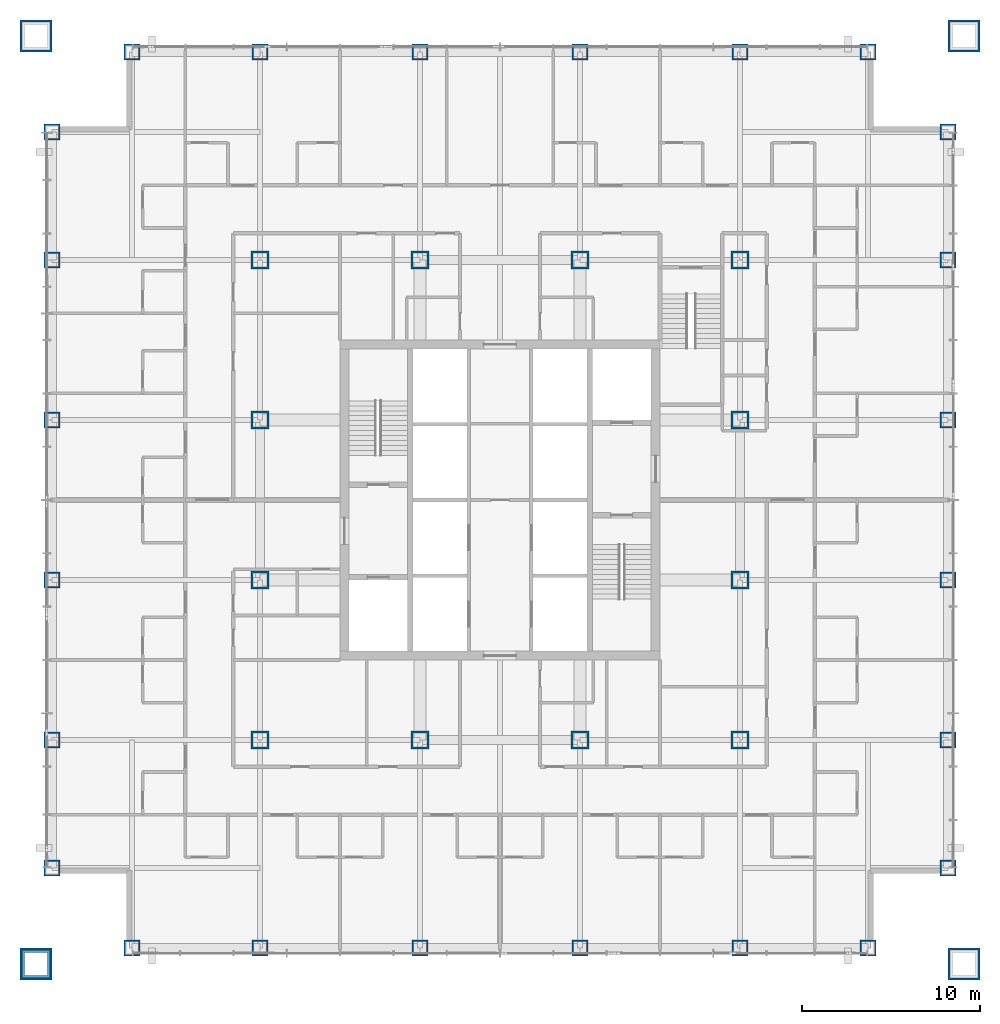
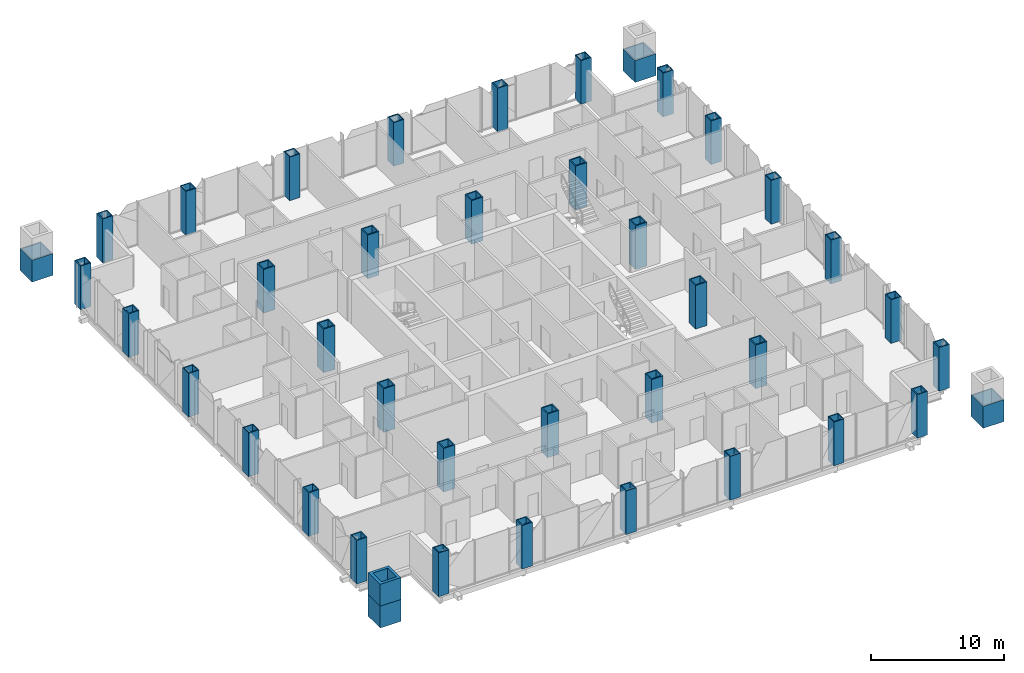
# One storey, part 1 of 23: 40 columns, 1 member.
"""IFC4 building model written with IfcOpenShell, lengths in metres."""

from ifc_helpers import new_model, si_unit, direction, frame, origin, origin_2d, place, context, subcontext, project, spatial, hollow_rectangle, extrude, material, material_profile, profile_set, type_object, element, save


model = new_model("IFC4")

# Units and contexts
model_context = context("Model", 3, precision=1e-05, world=origin(), true_north=direction((0.0, 1.0)))
body_context = subcontext(model_context, "Body", "Model", "MODEL_VIEW")
ifc_project = project(units=[si_unit("LENGTHUNIT", "METRE"), si_unit("AREAUNIT", "SQUARE_METRE"), si_unit("VOLUMEUNIT", "CUBIC_METRE"), si_unit("PLANEANGLEUNIT", "RADIAN"), si_unit("MASSUNIT", "GRAM", prefix="KILO")], contexts=[model_context])

# Site, building, storey
site_placement = place(None, origin())
site = spatial("IfcSite", under=ifc_project, at=site_placement, CompositionType="ELEMENT")
building_placement = place(site_placement, origin())
building = spatial("IfcBuilding", under=site, at=building_placement, Name="Malebo Sky Hospital", CompositionType="ELEMENT")
storey_placement = place(building_placement, frame((0.0, 0.0, 91.0)))
storey = spatial("IfcBuildingStorey", under=building, at=storey_placement, Name="L21", CompositionType="ELEMENT", Elevation=91.0)

# Columns
ifc_material = material(Name="Steel S460", Category="steel")
ifc_material_profile_1 = material_profile(ifc_material, hollow_rectangle(XDim=1.0, YDim=1.0, WallThickness=0.10009765625, at=origin_2d()), Name="BOX 1000x1000x100")
ifc_profile_set_1 = profile_set([ifc_material_profile_1], Name="Steel S460")
column_type_1 = type_object("IfcColumnType", Name="INNER COLUMN BOX 1000x1000x100", PredefinedType="COLUMN", material=ifc_profile_set_1)
for number, where, z_axis, x_axis, name in (
    (1, (46.5, 48.5, 0.0), (0.0, 0.0, 1.0), (1.0, 0.0, 0.0), "Column IC9 L21"),
    (2, (73.5, 48.5, 0.0), (0.0, 0.0, 1.0), (1.0, 0.0, 0.0), "Column IC9 L21"),
    (3, (73.5, 75.5, 0.0), (0.0, 0.0, 1.0), (1.0, 0.0, 0.0), "Column IC9 L21"),
    (4, (46.5, 75.5, 0.0), (0.0, 0.0, 1.0), (1.0, 0.0, 0.0), "Column IC9 L21"),
    (5, (55.5, 48.5, 0.0), (0.0, 0.0, 1.0), (1.0, 0.0, 0.0), "Column IC9 L21"),
    (6, (64.5, 48.5, 0.0), (0.0, 0.0, 1.0), (1.0, 0.0, 0.0), "Column IC9 L21"),
    (7, (55.5, 75.5, 0.0), (0.0, 0.0, 1.0), (1.0, 0.0, 0.0), "Column IC9 L21"),
    (8, (64.5, 75.5, 0.0), (0.0, 0.0, 1.0), (1.0, 0.0, 0.0), "Column IC9 L21"),
    (9, (46.5, 57.5, 0.0), (0.0, 0.0, 1.0), (1.0, 0.0, 0.0), "Column IC9 L21"),
    (10, (46.5, 66.5, 0.0), (0.0, 0.0, 1.0), (1.0, 0.0, 0.0), "Column IC9 L21"),
    (11, (73.5, 57.5, 0.0), (0.0, 0.0, 1.0), (1.0, 0.0, 0.0), "Column IC9 L21"),
    (12, (73.5, 66.5, 0.0), (0.0, 0.0, 1.0), (1.0, 0.0, 0.0), "Column IC9 L21"),
):
    element("IfcColumn", number, at=place(storey_placement, frame(where, z_axis=z_axis, x_axis=x_axis)), inside=storey, type_object=column_type_1, Name=name, PredefinedType="COLUMN", context=body_context, shape_type="SweptSolid", body=[
        extrude(hollow_rectangle(XDim=1.0, YDim=1.0, WallThickness=0.10009765625, at=origin_2d()), origin(), (0.0, 0.0, 1.0), 4.0),
    ])
ifc_material_profile_2 = material_profile(ifc_material, hollow_rectangle(XDim=1.800048828125, YDim=1.800048828125, WallThickness=0.10009765625, at=origin_2d()), Name="BOX 1800x1800x100")
ifc_profile_set_2 = profile_set([ifc_material_profile_2], Name="Steel S460")
column_type_2 = type_object("IfcColumnType", Name="MEGA COLUMN BOX 1800x1800x100", PredefinedType="COLUMN", material=ifc_profile_set_2)
for number, where, z_axis, x_axis, name in (
    (13, (33.89990234375, 35.89990234375, 0.0), (0.0, 0.0, 1.0), (1.0, 0.0, 0.0), "Mega column SW L21"),
    (14, (86.10009765625, 35.89990234375, 0.0), (0.0, 0.0, 1.0), (1.0, 0.0, 0.0), "Mega column SE L21"),
    (15, (86.10009765625, 88.10009765625, 0.0), (0.0, 0.0, 1.0), (1.0, 0.0, 0.0), "Mega column NE L21"),
    (16, (33.89990234375, 88.10009765625, 0.0), (0.0, 0.0, 1.0), (1.0, 0.0, 0.0), "Mega column NW L21"),
):
    element("IfcColumn", number, at=place(storey_placement, frame(where, z_axis=z_axis, x_axis=x_axis)), inside=storey, type_object=column_type_2, Name=name, PredefinedType="COLUMN", context=body_context, shape_type="SweptSolid", body=[
        extrude(hollow_rectangle(XDim=1.800048828125, YDim=1.800048828125, WallThickness=0.10009765625, at=origin_2d()), origin(), (0.0, 0.0, 1.0), 2.0),
    ])
ifc_material_profile_3 = material_profile(ifc_material, hollow_rectangle(XDim=0.89990234375, YDim=0.89990234375, WallThickness=0.080078125, at=origin_2d()), Name="BOX 900x900x80")
ifc_profile_set_3 = profile_set([ifc_material_profile_3], Name="Steel S460")
column_type_3 = type_object("IfcColumnType", Name="PERIMETER COLUMN BOX 900x900x80", PredefinedType="COLUMN", material=ifc_profile_set_3)
for number, where, z_axis, x_axis, name in (
    (17, (39.300048828125, 36.800048828125, 0.0), (0.0, 0.0, 1.0), (1.0, 0.0, 0.0), "Column PC8 L21"),
    (18, (39.300048828125, 87.199951171875, 0.0), (0.0, 0.0, 1.0), (1.0, 0.0, 0.0), "Column PC8 L21"),
    (19, (34.800048828125, 41.300048828125, 0.0), (0.0, 0.0, 1.0), (1.0, 0.0, 0.0), "Column PC8 L21"),
    (20, (85.199951171875, 41.300048828125, 0.0), (0.0, 0.0, 1.0), (1.0, 0.0, 0.0), "Column PC8 L21"),
    (21, (46.5, 36.800048828125, 0.0), (0.0, 0.0, 1.0), (1.0, 0.0, 0.0), "Column PC8 L21"),
    (22, (46.5, 87.199951171875, 0.0), (0.0, 0.0, 1.0), (1.0, 0.0, 0.0), "Column PC8 L21"),
    (23, (34.800048828125, 48.5, 0.0), (0.0, 0.0, 1.0), (1.0, 0.0, 0.0), "Column PC8 L21"),
    (24, (85.199951171875, 48.5, 0.0), (0.0, 0.0, 1.0), (1.0, 0.0, 0.0), "Column PC8 L21"),
    (25, (55.5, 36.800048828125, 0.0), (0.0, 0.0, 1.0), (1.0, 0.0, 0.0), "Column PC8 L21"),
    (26, (55.5, 87.199951171875, 0.0), (0.0, 0.0, 1.0), (1.0, 0.0, 0.0), "Column PC8 L21"),
    (27, (34.800048828125, 57.5, 0.0), (0.0, 0.0, 1.0), (1.0, 0.0, 0.0), "Column PC8 L21"),
    (28, (85.199951171875, 57.5, 0.0), (0.0, 0.0, 1.0), (1.0, 0.0, 0.0), "Column PC8 L21"),
    (29, (64.5, 36.800048828125, 0.0), (0.0, 0.0, 1.0), (1.0, 0.0, 0.0), "Column PC8 L21"),
    (30, (64.5, 87.199951171875, 0.0), (0.0, 0.0, 1.0), (1.0, 0.0, 0.0), "Column PC8 L21"),
    (31, (34.800048828125, 66.5, 0.0), (0.0, 0.0, 1.0), (1.0, 0.0, 0.0), "Column PC8 L21"),
    (32, (85.199951171875, 66.5, 0.0), (0.0, 0.0, 1.0), (1.0, 0.0, 0.0), "Column PC8 L21"),
    (33, (73.5, 36.800048828125, 0.0), (0.0, 0.0, 1.0), (1.0, 0.0, 0.0), "Column PC8 L21"),
    (34, (73.5, 87.199951171875, 0.0), (0.0, 0.0, 1.0), (1.0, 0.0, 0.0), "Column PC8 L21"),
    (35, (34.800048828125, 75.5, 0.0), (0.0, 0.0, 1.0), (1.0, 0.0, 0.0), "Column PC8 L21"),
    (36, (85.199951171875, 75.5, 0.0), (0.0, 0.0, 1.0), (1.0, 0.0, 0.0), "Column PC8 L21"),
    (37, (80.699951171875, 36.800048828125, 0.0), (0.0, 0.0, 1.0), (1.0, 0.0, 0.0), "Column PC8 L21"),
    (38, (80.699951171875, 87.199951171875, 0.0), (0.0, 0.0, 1.0), (1.0, 0.0, 0.0), "Column PC8 L21"),
    (39, (34.800048828125, 82.699951171875, 0.0), (0.0, 0.0, 1.0), (1.0, 0.0, 0.0), "Column PC8 L21"),
    (40, (85.199951171875, 82.699951171875, 0.0), (0.0, 0.0, 1.0), (1.0, 0.0, 0.0), "Column PC8 L21"),
):
    element("IfcColumn", number, at=place(storey_placement, frame(where, z_axis=z_axis, x_axis=x_axis)), inside=storey, type_object=column_type_3, Name=name, PredefinedType="COLUMN", context=body_context, shape_type="SweptSolid", body=[
        extrude(hollow_rectangle(XDim=0.89990234375, YDim=0.89990234375, WallThickness=0.080078125, at=origin_2d()), origin(), (0.0, 0.0, 1.0), 4.0),
    ])

# Member
ifc_material_profile_4 = material_profile(ifc_material, hollow_rectangle(XDim=1.800048828125, YDim=1.800048828125, WallThickness=0.25, at=origin_2d()), Name="BOX 1800x1800x250")
ifc_profile_set_4 = profile_set([ifc_material_profile_4], Name="Steel S460")
member_type = type_object("IfcMemberType", Name="MEGA COLUMN NODE BOX 1800x1800x250", PredefinedType="MEMBER", material=ifc_profile_set_4)
member_placement = place(storey_placement, frame((33.89990234375, 35.89990234375, 2.0), z_axis=(0.0, 0.0, 1.0), x_axis=(1.0, 0.0, 0.0)))
element("IfcMember", 41, at=member_placement, inside=storey, type_object=member_type, Name="Mega column node SW L21", PredefinedType="MEMBER", context=body_context, shape_type="SweptSolid", body=[
    extrude(hollow_rectangle(XDim=1.800048828125, YDim=1.800048828125, WallThickness=0.25, at=origin_2d()), origin(), (0.0, 0.0, 1.0), 2.0),
])

save(model, "model.ifc")
